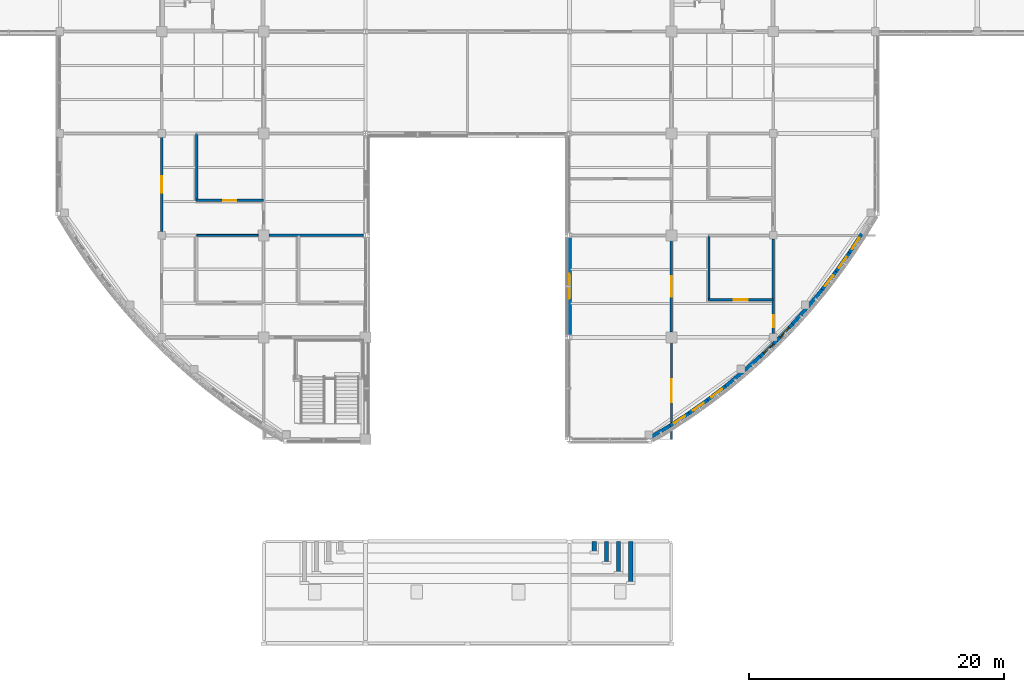
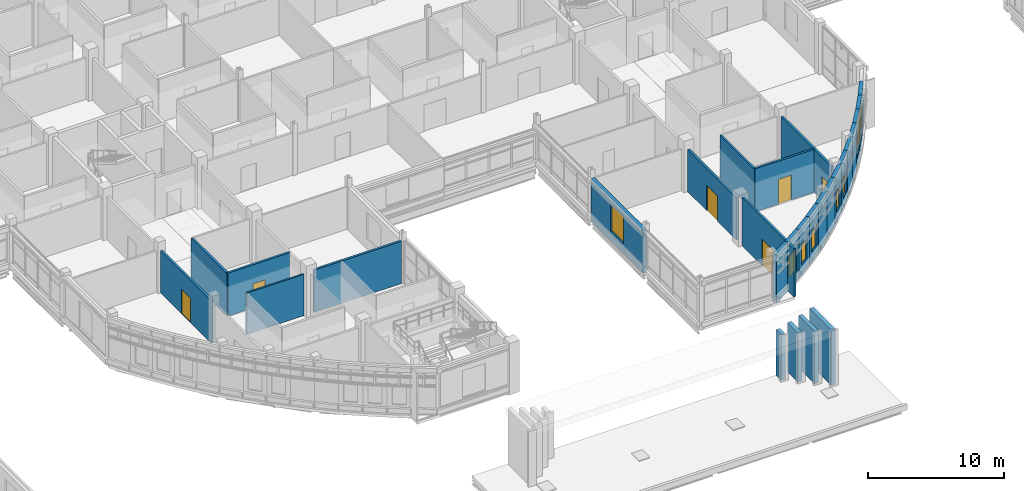
# One storey, part 81 of 121: 28 walls, 9 windows, 6 doors, 15 openings.
"""IFC4 building model written with IfcOpenShell, lengths in metres."""

from ifc_helpers import new_model, si_unit, derived_unit, direction, frame, frame_2d, origin, place, context, subcontext, project, spatial, rectangle, extrude, material, layer, layer_set, type_object, element, fill, save


model = new_model("IFC4")

# Units and contexts
model_context = context("Model", 3, precision=1e-05, world=origin(), true_north=direction((0.0, 1.0)))
body_context = subcontext(model_context, "Body", "Model", "MODEL_VIEW")
ifc_project = project(units=[si_unit("LENGTHUNIT", "METRE"), si_unit("AREAUNIT", "SQUARE_METRE"), si_unit("VOLUMEUNIT", "CUBIC_METRE"), si_unit("PLANEANGLEUNIT", "RADIAN"), si_unit("MASSUNIT", "GRAM", prefix="KILO"), derived_unit("THERMALTRANSMITTANCEUNIT", [(si_unit("MASSUNIT", "GRAM", prefix="KILO"), 1), (si_unit("TIMEUNIT", "SECOND"), -3), (si_unit("THERMODYNAMICTEMPERATUREUNIT", "KELVIN"), -1)])], contexts=[model_context])

# Site, building, storey
site_placement = place(None, origin())
site = spatial("IfcSite", under=ifc_project, at=site_placement, CompositionType="ELEMENT")
building_placement = place(site_placement, origin())
building = spatial("IfcBuilding", under=site, at=building_placement, Name="Veyamyaing Civic Hall", CompositionType="ELEMENT")
storey_placement = place(building_placement, frame((0.0, 0.0, 5.280029296875)))
storey = spatial("IfcBuildingStorey", under=building, at=storey_placement, Name="L01", CompositionType="ELEMENT", Elevation=5.280029296875)

# Wall
ifc_material_1 = material(Name="Precast concrete C40/50", Category="concrete")
ifc_layer_1 = layer(ifc_material_1, 0.304931640625, Name="Precast concrete C40/50")
ifc_layer_set_1 = layer_set([ifc_layer_1], Name="Precast concrete C40/50")
wall_type_1 = type_object("IfcWallType", Name="WT-03", PredefinedType="SOLIDWALL", material=ifc_layer_set_1)
wall_1_placement = place(storey_placement, frame((102.350830078125, 16.1328125, 0.0), z_axis=(0.0, 0.0, 1.0), x_axis=(0.856543302071, 0.51607516088, 0.0)))
element("IfcWall", 1, at=wall_1_placement, inside=storey, type_object=wall_type_1, Name="Curved corner facade wall WT-03 L01 SE.1", PredefinedType="SOLIDWALL", context=body_context, shape_type="SweptSolid", body=[
    extrude(rectangle(XDim=1.794921875, YDim=0.304931640625, at=frame_2d((0.8974609375, 0.0))), origin(), (0.0, 0.0, 1.0), 4.3349609375),
])

# Wall, opening, window
wall_2_placement = place(storey_placement, frame((103.88330078125, 17.05615234375, 0.0), z_axis=(0.0, 0.0, 1.0), x_axis=(0.836686786408, 0.547681678944, 0.0)))
wall_2 = element("IfcWall", 2, at=wall_2_placement, inside=storey, type_object=wall_type_1, Name="Curved corner facade wall WT-03 L01 SE.2", PredefinedType="SOLIDWALL", context=body_context, shape_type="SweptSolid", body=[
    extrude(rectangle(XDim=1.795166015625, YDim=0.304931640625, at=frame_2d((0.8974609375, 0.0))), origin(), (0.0, 0.0, 1.0), 4.3349609375),
])
opening_1_placement = place(wall_2_placement, frame((0.37255859375, 0.0, 0.89990234375)))
opening_1 = element("IfcOpeningElement", 3, at=opening_1_placement, cuts=wall_2, Name="Opening W-16", PredefinedType="OPENING", context=body_context, shape_type="SweptSolid", body=[
    extrude(rectangle(XDim=1.050048828125, YDim=1.85009765625, at=frame_2d((0.52490234375, 0.925048828125))), frame((0.0, 0.162353515625, 0.0), z_axis=(0.0, -1.0, 0.0), x_axis=(1.0, 0.0, 0.0)), (0.0, 0.0, 1.0), 0.324951171875),
])
ifc_material_2 = material(Name="Low-E insulated glass", Category="glass")
window_type_1 = type_object("IfcWindowType", Name="W-16", PartitioningType="SINGLE_PANEL", PredefinedType="WINDOW", material=ifc_material_2)
window_1_placement = place(opening_1_placement, origin())
window_1 = element("IfcWindow", 4, at=window_1_placement, inside=storey, type_object=window_type_1, Name="Curved ribbon window W-16 L01 SE.2", OverallHeight=1.85009765625, OverallWidth=1.050048828125, PartitioningType="SINGLE_PANEL", PredefinedType="WINDOW", context=body_context, shape_type="SweptSolid", body=[
    extrude(rectangle(XDim=1.050048828125, YDim=1.85009765625, at=frame_2d((0.52490234375, 0.925048828125))), frame((0.0, 0.030029296875, 0.0), z_axis=(0.0, -1.0, 0.0), x_axis=(1.0, 0.0, 0.0)), (0.0, 0.0, 1.0), 0.06005859375),
])
fill(opening_1, window_1)

wall_3_placement = place(storey_placement, frame((105.38037109375, 18.0361328125, 0.0), z_axis=(0.0, 0.0, 1.0), x_axis=(0.815567185578, 0.578662393636, 0.0)))
wall_3 = element("IfcWall", 5, at=wall_3_placement, inside=storey, type_object=wall_type_1, Name="Curved corner facade wall WT-03 L01 SE.3", PredefinedType="SOLIDWALL", context=body_context, shape_type="SweptSolid", body=[
    extrude(rectangle(XDim=1.795166015625, YDim=0.304931640625, at=frame_2d((0.8974609375, 0.0))), origin(), (0.0, 0.0, 1.0), 4.3349609375),
])
opening_2_placement = place(wall_3_placement, frame((0.37255859375, 0.0, 0.89990234375)))
opening_2 = element("IfcOpeningElement", 6, at=opening_2_placement, cuts=wall_3, Name="Opening W-16", PredefinedType="OPENING", context=body_context, shape_type="SweptSolid", body=[
    extrude(rectangle(XDim=1.050048828125, YDim=1.85009765625, at=frame_2d((0.52490234375, 0.925048828125))), frame((0.0, 0.162353515625, 0.0), z_axis=(0.0, -1.0, 0.0), x_axis=(1.0, 0.0, 0.0)), (0.0, 0.0, 1.0), 0.324951171875),
])
window_2_placement = place(opening_2_placement, origin())
window_2 = element("IfcWindow", 7, at=window_2_placement, inside=storey, type_object=window_type_1, Name="Curved ribbon window W-16 L01 SE.3", OverallHeight=1.85009765625, OverallWidth=1.050048828125, PartitioningType="SINGLE_PANEL", PredefinedType="WINDOW", context=body_context, shape_type="SweptSolid", body=[
    extrude(rectangle(XDim=1.050048828125, YDim=1.85009765625, at=frame_2d((0.52490234375, 0.925048828125))), frame((0.0, 0.030029296875, 0.0), z_axis=(0.0, -1.0, 0.0), x_axis=(1.0, 0.0, 0.0)), (0.0, 0.0, 1.0), 0.06005859375),
])
fill(opening_2, window_2)

wall_4_placement = place(storey_placement, frame((106.83984375, 19.071533203125, 0.0), z_axis=(0.0, 0.0, 1.0), x_axis=(0.793341406114, 0.608776981616, 0.0)))
wall_4 = element("IfcWall", 8, at=wall_4_placement, inside=storey, type_object=wall_type_1, Name="Curved corner facade wall WT-03 L01 SE.4", PredefinedType="SOLIDWALL", context=body_context, shape_type="SweptSolid", body=[
    extrude(rectangle(XDim=1.794921875, YDim=0.304931640625, at=frame_2d((0.8974609375, 0.0))), origin(), (0.0, 0.0, 1.0), 4.3349609375),
])
opening_3_placement = place(wall_4_placement, frame((0.37255859375, 0.0, 0.89990234375)))
opening_3 = element("IfcOpeningElement", 9, at=opening_3_placement, cuts=wall_4, Name="Opening W-16", PredefinedType="OPENING", context=body_context, shape_type="SweptSolid", body=[
    extrude(rectangle(XDim=1.050048828125, YDim=1.85009765625, at=frame_2d((0.52490234375, 0.925048828125))), frame((0.0, 0.162353515625, 0.0), z_axis=(0.0, -1.0, 0.0), x_axis=(1.0, 0.0, 0.0)), (0.0, 0.0, 1.0), 0.324951171875),
])
window_3_placement = place(opening_3_placement, origin())
window_3 = element("IfcWindow", 10, at=window_3_placement, inside=storey, type_object=window_type_1, Name="Curved ribbon window W-16 L01 SE.4", OverallHeight=1.85009765625, OverallWidth=1.050048828125, PartitioningType="SINGLE_PANEL", PredefinedType="WINDOW", context=body_context, shape_type="SweptSolid", body=[
    extrude(rectangle(XDim=1.050048828125, YDim=1.85009765625, at=frame_2d((0.52490234375, 0.925048828125))), frame((0.0, 0.030029296875, 0.0), z_axis=(0.0, -1.0, 0.0), x_axis=(1.0, 0.0, 0.0)), (0.0, 0.0, 1.0), 0.06005859375),
])
fill(opening_3, window_3)

# Walls
wall_5_placement = place(storey_placement, frame((108.259521484375, 20.16064453125, 0.0), z_axis=(0.0, 0.0, 1.0), x_axis=(0.769991012207, 0.638054732073, 0.0)))
element("IfcWall", 11, at=wall_5_placement, inside=storey, type_object=wall_type_1, Name="Curved corner facade wall WT-03 L01 SE.5", PredefinedType="SOLIDWALL", context=body_context, shape_type="SweptSolid", body=[
    extrude(rectangle(XDim=1.794921875, YDim=0.304931640625, at=frame_2d((0.8974609375, 0.0))), origin(), (0.0, 0.0, 1.0), 4.3349609375),
])
wall_6_placement = place(storey_placement, frame((109.63720703125, 21.30224609375, 0.0), z_axis=(0.0, 0.0, 1.0), x_axis=(0.745703543965, 0.666277888361, 0.0)))
element("IfcWall", 12, at=wall_6_placement, inside=storey, type_object=wall_type_1, Name="Curved corner facade wall WT-03 L01 SE.6", PredefinedType="SOLIDWALL", context=body_context, shape_type="SweptSolid", body=[
    extrude(rectangle(XDim=1.795166015625, YDim=0.304931640625, at=frame_2d((0.8974609375, 0.0))), origin(), (0.0, 0.0, 1.0), 4.3349609375),
])

# Wall, opening, window
wall_7_placement = place(storey_placement, frame((110.971435546875, 22.494384765625, 0.0), z_axis=(0.0, 0.0, 1.0), x_axis=(0.720242191926, 0.693722700342, 0.0)))
wall_7 = element("IfcWall", 13, at=wall_7_placement, inside=storey, type_object=wall_type_1, Name="Curved corner facade wall WT-03 L01 SE.7", PredefinedType="SOLIDWALL", context=body_context, shape_type="SweptSolid", body=[
    extrude(rectangle(XDim=1.795166015625, YDim=0.304931640625, at=frame_2d((0.8974609375, 0.0))), origin(), (0.0, 0.0, 1.0), 4.3349609375),
])
opening_4_placement = place(wall_7_placement, frame((0.37255859375, 0.0, 0.89990234375)))
opening_4 = element("IfcOpeningElement", 14, at=opening_4_placement, cuts=wall_7, Name="Opening W-16", PredefinedType="OPENING", context=body_context, shape_type="SweptSolid", body=[
    extrude(rectangle(XDim=1.050048828125, YDim=1.85009765625, at=frame_2d((0.52490234375, 0.925048828125))), frame((0.0, 0.162353515625, 0.0), z_axis=(0.0, -1.0, 0.0), x_axis=(1.0, 0.0, 0.0)), (0.0, 0.0, 1.0), 0.324951171875),
])
window_4_placement = place(opening_4_placement, origin())
window_4 = element("IfcWindow", 15, at=window_4_placement, inside=storey, type_object=window_type_1, Name="Curved ribbon window W-16 L01 SE.7", OverallHeight=1.85009765625, OverallWidth=1.050048828125, PartitioningType="SINGLE_PANEL", PredefinedType="WINDOW", context=body_context, shape_type="SweptSolid", body=[
    extrude(rectangle(XDim=1.050048828125, YDim=1.85009765625, at=frame_2d((0.52490234375, 0.925048828125))), frame((0.0, 0.030029296875, 0.0), z_axis=(0.0, -1.0, 0.0), x_axis=(1.0, 0.0, 0.0)), (0.0, 0.0, 1.0), 0.06005859375),
])
fill(opening_4, window_4)

wall_8_placement = place(storey_placement, frame((112.26025390625, 23.735595703125, 0.0), z_axis=(0.0, 0.0, 1.0), x_axis=(0.693722700342, 0.720242191926, 0.0)))
wall_8 = element("IfcWall", 16, at=wall_8_placement, inside=storey, type_object=wall_type_1, Name="Curved corner facade wall WT-03 L01 SE.8", PredefinedType="SOLIDWALL", context=body_context, shape_type="SweptSolid", body=[
    extrude(rectangle(XDim=1.795166015625, YDim=0.304931640625, at=frame_2d((0.8974609375, 0.0))), origin(), (0.0, 0.0, 1.0), 4.3349609375),
])
opening_5_placement = place(wall_8_placement, frame((0.37255859375, 0.0, 0.89990234375)))
opening_5 = element("IfcOpeningElement", 17, at=opening_5_placement, cuts=wall_8, Name="Opening W-16", PredefinedType="OPENING", context=body_context, shape_type="SweptSolid", body=[
    extrude(rectangle(XDim=1.050048828125, YDim=1.85009765625, at=frame_2d((0.52490234375, 0.925048828125))), frame((0.0, 0.162353515625, 0.0), z_axis=(0.0, -1.0, 0.0), x_axis=(1.0, 0.0, 0.0)), (0.0, 0.0, 1.0), 0.324951171875),
])
window_5_placement = place(opening_5_placement, origin())
window_5 = element("IfcWindow", 18, at=window_5_placement, inside=storey, type_object=window_type_1, Name="Curved ribbon window W-16 L01 SE.8", OverallHeight=1.85009765625, OverallWidth=1.050048828125, PartitioningType="SINGLE_PANEL", PredefinedType="WINDOW", context=body_context, shape_type="SweptSolid", body=[
    extrude(rectangle(XDim=1.050048828125, YDim=1.85009765625, at=frame_2d((0.52490234375, 0.925048828125))), frame((0.0, 0.030029296875, 0.0), z_axis=(0.0, -1.0, 0.0), x_axis=(1.0, 0.0, 0.0)), (0.0, 0.0, 1.0), 0.06005859375),
])
fill(opening_5, window_5)

# Walls
wall_9_placement = place(storey_placement, frame((113.501708984375, 25.024169921875, 0.0), z_axis=(0.0, 0.0, 1.0), x_axis=(0.666277888361, 0.745703543965, 0.0)))
element("IfcWall", 19, at=wall_9_placement, inside=storey, type_object=wall_type_1, Name="Curved corner facade wall WT-03 L01 SE.9", PredefinedType="SOLIDWALL", context=body_context, shape_type="SweptSolid", body=[
    extrude(rectangle(XDim=1.795166015625, YDim=0.304931640625, at=frame_2d((0.8974609375, 0.0))), origin(), (0.0, 0.0, 1.0), 4.3349609375),
])
wall_10_placement = place(storey_placement, frame((114.694091796875, 26.3583984375, 0.0), z_axis=(0.0, 0.0, 1.0), x_axis=(0.638054732073, 0.769991012207, 0.0)))
element("IfcWall", 20, at=wall_10_placement, inside=storey, type_object=wall_type_1, Name="Curved corner facade wall WT-03 L01 SE.10", PredefinedType="SOLIDWALL", context=body_context, shape_type="SweptSolid", body=[
    extrude(rectangle(XDim=1.794921875, YDim=0.304931640625, at=frame_2d((0.8974609375, 0.0))), origin(), (0.0, 0.0, 1.0), 4.3349609375),
])

# Wall, opening, window
wall_11_placement = place(storey_placement, frame((115.835693359375, 27.736083984375, 0.0), z_axis=(0.0, 0.0, 1.0), x_axis=(0.608776981616, 0.793341406114, 0.0)))
wall_11 = element("IfcWall", 21, at=wall_11_placement, inside=storey, type_object=wall_type_1, Name="Curved corner facade wall WT-03 L01 SE.11", PredefinedType="SOLIDWALL", context=body_context, shape_type="SweptSolid", body=[
    extrude(rectangle(XDim=1.794921875, YDim=0.304931640625, at=frame_2d((0.8974609375, 0.0))), origin(), (0.0, 0.0, 1.0), 4.3349609375),
])
opening_6_placement = place(wall_11_placement, frame((0.37255859375, 0.0, 0.89990234375)))
opening_6 = element("IfcOpeningElement", 22, at=opening_6_placement, cuts=wall_11, Name="Opening W-16", PredefinedType="OPENING", context=body_context, shape_type="SweptSolid", body=[
    extrude(rectangle(XDim=1.050048828125, YDim=1.85009765625, at=frame_2d((0.52490234375, 0.925048828125))), frame((0.0, 0.162353515625, 0.0), z_axis=(0.0, -1.0, 0.0), x_axis=(1.0, 0.0, 0.0)), (0.0, 0.0, 1.0), 0.324951171875),
])
window_6_placement = place(opening_6_placement, origin())
window_6 = element("IfcWindow", 23, at=window_6_placement, inside=storey, type_object=window_type_1, Name="Curved ribbon window W-16 L01 SE.11", OverallHeight=1.85009765625, OverallWidth=1.050048828125, PartitioningType="SINGLE_PANEL", PredefinedType="WINDOW", context=body_context, shape_type="SweptSolid", body=[
    extrude(rectangle(XDim=1.050048828125, YDim=1.85009765625, at=frame_2d((0.52490234375, 0.925048828125))), frame((0.0, 0.030029296875, 0.0), z_axis=(0.0, -1.0, 0.0), x_axis=(1.0, 0.0, 0.0)), (0.0, 0.0, 1.0), 0.06005859375),
])
fill(opening_6, window_6)

wall_12_placement = place(storey_placement, frame((116.925048828125, 29.155517578125, 0.0), z_axis=(0.0, 0.0, 1.0), x_axis=(0.578662393636, 0.815567185578, 0.0)))
wall_12 = element("IfcWall", 24, at=wall_12_placement, inside=storey, type_object=wall_type_1, Name="Curved corner facade wall WT-03 L01 SE.12", PredefinedType="SOLIDWALL", context=body_context, shape_type="SweptSolid", body=[
    extrude(rectangle(XDim=1.795166015625, YDim=0.304931640625, at=frame_2d((0.8974609375, 0.0))), origin(), (0.0, 0.0, 1.0), 4.3349609375),
])
opening_7_placement = place(wall_12_placement, frame((0.37255859375, 0.0, 0.89990234375)))
opening_7 = element("IfcOpeningElement", 25, at=opening_7_placement, cuts=wall_12, Name="Opening W-16", PredefinedType="OPENING", context=body_context, shape_type="SweptSolid", body=[
    extrude(rectangle(XDim=1.050048828125, YDim=1.85009765625, at=frame_2d((0.52490234375, 0.925048828125))), frame((0.0, 0.162353515625, 0.0), z_axis=(0.0, -1.0, 0.0), x_axis=(1.0, 0.0, 0.0)), (0.0, 0.0, 1.0), 0.324951171875),
])
window_7_placement = place(opening_7_placement, origin())
window_7 = element("IfcWindow", 26, at=window_7_placement, inside=storey, type_object=window_type_1, Name="Curved ribbon window W-16 L01 SE.12", OverallHeight=1.85009765625, OverallWidth=1.050048828125, PartitioningType="SINGLE_PANEL", PredefinedType="WINDOW", context=body_context, shape_type="SweptSolid", body=[
    extrude(rectangle(XDim=1.050048828125, YDim=1.85009765625, at=frame_2d((0.52490234375, 0.925048828125))), frame((0.0, 0.030029296875, 0.0), z_axis=(0.0, -1.0, 0.0), x_axis=(1.0, 0.0, 0.0)), (0.0, 0.0, 1.0), 0.06005859375),
])
fill(opening_7, window_7)

wall_13_placement = place(storey_placement, frame((117.960693359375, 30.61474609375, 0.0), z_axis=(0.0, 0.0, 1.0), x_axis=(0.547681678944, 0.836686786408, 0.0)))
wall_13 = element("IfcWall", 27, at=wall_13_placement, inside=storey, type_object=wall_type_1, Name="Curved corner facade wall WT-03 L01 SE.13", PredefinedType="SOLIDWALL", context=body_context, shape_type="SweptSolid", body=[
    extrude(rectangle(XDim=1.795166015625, YDim=0.304931640625, at=frame_2d((0.8974609375, 0.0))), origin(), (0.0, 0.0, 1.0), 4.3349609375),
])
opening_8_placement = place(wall_13_placement, frame((0.37255859375, 0.0, 0.89990234375)))
opening_8 = element("IfcOpeningElement", 28, at=opening_8_placement, cuts=wall_13, Name="Opening W-16", PredefinedType="OPENING", context=body_context, shape_type="SweptSolid", body=[
    extrude(rectangle(XDim=1.050048828125, YDim=1.85009765625, at=frame_2d((0.52490234375, 0.925048828125))), frame((0.0, 0.162353515625, 0.0), z_axis=(0.0, -1.0, 0.0), x_axis=(1.0, 0.0, 0.0)), (0.0, 0.0, 1.0), 0.324951171875),
])
window_8_placement = place(opening_8_placement, origin())
window_8 = element("IfcWindow", 29, at=window_8_placement, inside=storey, type_object=window_type_1, Name="Curved ribbon window W-16 L01 SE.13", OverallHeight=1.85009765625, OverallWidth=1.050048828125, PartitioningType="SINGLE_PANEL", PredefinedType="WINDOW", context=body_context, shape_type="SweptSolid", body=[
    extrude(rectangle(XDim=1.050048828125, YDim=1.85009765625, at=frame_2d((0.52490234375, 0.925048828125))), frame((0.0, 0.030029296875, 0.0), z_axis=(0.0, -1.0, 0.0), x_axis=(1.0, 0.0, 0.0)), (0.0, 0.0, 1.0), 0.06005859375),
])
fill(opening_8, window_8)

wall_14_placement = place(storey_placement, frame((96.0, 24.1708984375, 0.0), z_axis=(0.0, 0.0, 1.0), x_axis=(0.0, 1.0, 0.0)))
wall_14 = element("IfcWall", 30, at=wall_14_placement, inside=storey, type_object=wall_type_1, Name="Exterior facade wall WT-03 L01 W 13.4", PredefinedType="SOLIDWALL", context=body_context, shape_type="SweptSolid", body=[
    extrude(rectangle(XDim=7.658203125, YDim=0.304931640625, at=frame_2d((3.8291015625, 0.0))), origin(), (0.0, 0.0, 1.0), 3.85791015625),
])
opening_9_placement = place(wall_14_placement, frame((2.85400390625, 0.0, 0.89990234375)))
opening_9 = element("IfcOpeningElement", 31, at=opening_9_placement, cuts=wall_14, Name="Opening W-26", PredefinedType="OPENING", context=body_context, shape_type="SweptSolid", body=[
    extrude(rectangle(XDim=1.949951171875, YDim=2.449951171875, at=frame_2d((0.97509765625, 1.22509765625))), frame((0.0, 0.162353515625, 0.0), z_axis=(0.0, -1.0, 0.0), x_axis=(1.0, 0.0, 0.0)), (0.0, 0.0, 1.0), 0.324951171875),
])
window_type_2 = type_object("IfcWindowType", Name="W-26", PartitioningType="SINGLE_PANEL", PredefinedType="WINDOW", material=ifc_material_2)
window_9_placement = place(opening_9_placement, origin())
window_9 = element("IfcWindow", 32, at=window_9_placement, inside=storey, type_object=window_type_2, Name="Facade window W-26 L01 W 13.4", OverallHeight=2.449951171875, OverallWidth=1.949951171875, PartitioningType="SINGLE_PANEL", PredefinedType="WINDOW", context=body_context, shape_type="SweptSolid", body=[
    extrude(rectangle(XDim=1.949951171875, YDim=2.449951171875, at=frame_2d((0.97509765625, 1.22509765625))), frame((0.0, 0.030029296875, 0.0), z_axis=(0.0, -1.0, 0.0), x_axis=(1.0, 0.0, 0.0)), (0.0, 0.0, 1.0), 0.06005859375),
])
fill(opening_9, window_9)

# Wall, opening, door
ifc_material_3 = material(Name="Gypsum board on acoustic steel stud", Category="steel")
ifc_layer_2 = layer(ifc_material_3, 0.175048828125, Name="Gypsum board on acoustic steel stud")
ifc_layer_set_2 = layer_set([ifc_layer_2], Name="Gypsum board on acoustic steel stud")
wall_type_2 = type_object("IfcWallType", Name="WT-07", PredefinedType="PARTITIONING", material=ifc_layer_set_2)
wall_15_placement = place(storey_placement, frame((106.89990234375, 26.949951171875, 0.0), z_axis=(0.0, 0.0, 1.0), x_axis=(1.0, 0.0, 0.0)))
wall_15 = element("IfcWall", 33, at=wall_15_placement, inside=storey, type_object=wall_type_2, Name="Corridor gallery partition WT-07 L01.55.1", PredefinedType="PARTITIONING", context=body_context, shape_type="SweptSolid", body=[
    extrude(rectangle(XDim=5.080078125, YDim=0.175048828125, at=frame_2d((2.5400390625, 0.0))), origin(), (0.0, 0.0, 1.0), 3.85693359375),
])
opening_10_placement = place(wall_15_placement, frame((1.97998046875, 0.0, 0.0)))
opening_10 = element("IfcOpeningElement", 34, at=opening_10_placement, cuts=wall_15, Name="Opening D-26", PredefinedType="OPENING", context=body_context, shape_type="SweptSolid", body=[
    extrude(rectangle(XDim=1.1201171875, YDim=2.219970703125, at=frame_2d((0.56005859375, 1.10986328125))), frame((0.0, 0.097412109375, 0.0), z_axis=(0.0, -1.0, 0.0), x_axis=(1.0, 0.0, 0.0)), (0.0, 0.0, 1.0), 0.195068359375),
])
ifc_material_4 = material(Name="Teak-veneered acoustic timber", Category="wood")
door_type_1 = type_object("IfcDoorType", Name="D-26", OperationType="NOTDEFINED", PredefinedType="DOOR", material=ifc_material_4)
door_1_placement = place(opening_10_placement, origin())
door_1 = element("IfcDoor", 35, at=door_1_placement, inside=storey, type_object=door_type_1, Name="Gallery office door D-26 L01.55", OperationType="SINGLE_SWING_LEFT", OverallHeight=2.219970703125, OverallWidth=1.1201171875, PredefinedType="DOOR", context=body_context, shape_type="SweptSolid", body=[
    extrude(rectangle(XDim=1.1201171875, YDim=2.219970703125, at=frame_2d((0.56005859375, 1.10986328125))), frame((0.0, 0.02490234375, 0.0), z_axis=(0.0, -1.0, 0.0), x_axis=(1.0, 0.0, 0.0)), (0.0, 0.0, 1.0), 0.050048828125),
])
fill(opening_10, door_1)

# Wall
wall_16_placement = place(storey_placement, frame((106.949951171875, 26.89990234375, 0.0), z_axis=(0.0, 0.0, 1.0), x_axis=(0.0, 1.0, 0.0)))
element("IfcWall", 36, at=wall_16_placement, inside=storey, type_object=wall_type_2, Name="Corridor gallery partition WT-07 L01.55.2", PredefinedType="PARTITIONING", context=body_context, shape_type="SweptSolid", body=[
    extrude(rectangle(XDim=5.080078125, YDim=0.175048828125, at=frame_2d((2.5400390625, 0.0))), origin(), (0.0, 0.0, 1.0), 3.786865234375),
])

# Wall, opening, door
wall_17_placement = place(storey_placement, frame((104.0, 16.0, 0.0), z_axis=(0.0, 0.0, 1.0), x_axis=(0.0, 1.0, 0.0)))
wall_17 = element("IfcWall", 37, at=wall_17_placement, inside=storey, type_object=wall_type_2, Name="Interior partition wall WT-07 L01.67", PredefinedType="PARTITIONING", context=body_context, shape_type="SweptSolid", body=[
    extrude(rectangle(XDim=7.5849609375, YDim=0.175048828125, at=frame_2d((3.79248046875, 0.0))), origin(), (0.0, 0.0, 1.0), 4.324951171875),
])
opening_11_placement = place(wall_17_placement, frame((2.892578125, 0.0, 0.0)))
opening_11 = element("IfcOpeningElement", 38, at=opening_11_placement, cuts=wall_17, Name="Opening D-08", PredefinedType="OPENING", context=body_context, shape_type="SweptSolid", body=[
    extrude(rectangle(XDim=1.800048828125, YDim=2.35009765625, at=frame_2d((0.89990234375, 1.175048828125))), frame((0.0, 0.097412109375, 0.0), z_axis=(0.0, -1.0, 0.0), x_axis=(1.0, 0.0, 0.0)), (0.0, 0.0, 1.0), 0.195068359375),
])
door_type_2 = type_object("IfcDoorType", Name="D-08", OperationType="DOUBLE_DOOR_SINGLE_SWING", PredefinedType="DOOR", material=ifc_material_4)
door_2_placement = place(opening_11_placement, origin())
door_2 = element("IfcDoor", 39, at=door_2_placement, inside=storey, type_object=door_type_2, Name="Interior door D-08 L01.67", OperationType="DOUBLE_DOOR_SINGLE_SWING", OverallHeight=2.35009765625, OverallWidth=1.800048828125, PredefinedType="DOOR", context=body_context, shape_type="SweptSolid", body=[
    extrude(rectangle(XDim=1.800048828125, YDim=2.35009765625, at=frame_2d((0.89990234375, 1.175048828125))), frame((0.0, 0.02490234375, 0.0), z_axis=(0.0, -1.0, 0.0), x_axis=(1.0, 0.0, 0.0)), (0.0, 0.0, 1.0), 0.050048828125),
])
fill(opening_11, door_2)

# Walls
ifc_material_5 = material(Name="Gypsum board on steel stud", Category="steel")
ifc_layer_3 = layer(ifc_material_5, 0.14990234375, Name="Gypsum board on steel stud")
ifc_layer_set_3 = layer_set([ifc_layer_3], Name="Gypsum board on steel stud")
wall_type_3 = type_object("IfcWallType", Name="WT-08", PredefinedType="PARTITIONING", material=ifc_layer_set_3)
wall_18_placement = place(storey_placement, frame((66.75, 32.0, 0.0), z_axis=(0.0, 0.0, 1.0), x_axis=(1.0, 0.0, 0.0)))
element("IfcWall", 40, at=wall_18_placement, inside=storey, type_object=wall_type_3, Name="Gallery office end partition WT-08 L01.37.1", PredefinedType="PARTITIONING", context=body_context, shape_type="SweptSolid", body=[
    extrude(rectangle(XDim=4.81494140625, YDim=0.14990234375, at=frame_2d((2.407470703125, 0.0))), origin(), (0.0, 0.0, 1.0), 3.7119140625),
])
ifc_layer_4 = layer(ifc_material_1, 0.340087890625, Name="Precast concrete C40/50")
ifc_layer_set_4 = layer_set([ifc_layer_4], Name="Precast concrete C40/50")
wall_type_4 = type_object("IfcWallType", Name="WT-17", PredefinedType="SOLIDWALL", material=ifc_layer_set_4)
wall_19_placement = place(storey_placement, frame((100.800048828125, 4.800048828125, 0.0), z_axis=(0.0, 0.0, 1.0), x_axis=(0.0, 1.0, 0.0)))
element("IfcWall", 41, at=wall_19_placement, inside=storey, type_object=wall_type_4, Name="Carved South Portal Frame Step 1 R L01", PredefinedType="SOLIDWALL", context=body_context, shape_type="SweptSolid", body=[
    extrude(rectangle(XDim=3.179931640625, YDim=0.340087890625, at=frame_2d((1.58984375, 0.0))), origin(), (0.0, 0.0, 1.0), 5.0),
])
wall_20_placement = place(storey_placement, frame((99.85009765625, 5.60009765625, 0.0), z_axis=(0.0, 0.0, 1.0), x_axis=(0.0, 1.0, 0.0)))
element("IfcWall", 42, at=wall_20_placement, inside=storey, type_object=wall_type_4, Name="Carved South Portal Frame Step 2 R L01", PredefinedType="SOLIDWALL", context=body_context, shape_type="SweptSolid", body=[
    extrude(rectangle(XDim=2.3798828125, YDim=0.340087890625, at=frame_2d((1.18994140625, 0.0))), origin(), (0.0, 0.0, 1.0), 4.699951171875),
])
wall_21_placement = place(storey_placement, frame((98.89990234375, 6.39990234375, 0.0), z_axis=(0.0, 0.0, 1.0), x_axis=(0.0, 1.0, 0.0)))
element("IfcWall", 43, at=wall_21_placement, inside=storey, type_object=wall_type_4, Name="Carved South Portal Frame Step 3 R L01", PredefinedType="SOLIDWALL", context=body_context, shape_type="SweptSolid", body=[
    extrude(rectangle(XDim=1.580078125, YDim=0.340087890625, at=frame_2d((0.7900390625, 0.0))), origin(), (0.0, 0.0, 1.0), 4.39990234375),
])
wall_22_placement = place(storey_placement, frame((97.949951171875, 7.199951171875, 0.0), z_axis=(0.0, 0.0, 1.0), x_axis=(0.0, 1.0, 0.0)))
element("IfcWall", 44, at=wall_22_placement, inside=storey, type_object=wall_type_4, Name="Carved South Portal Frame Step 4 R L01", PredefinedType="SOLIDWALL", context=body_context, shape_type="SweptSolid", body=[
    extrude(rectangle(XDim=0.780029296875, YDim=0.340087890625, at=frame_2d((0.39013671875, 0.0))), origin(), (0.0, 0.0, 1.0), 4.099853515625),
])

# Wall, opening, door
ifc_material_6 = material(Name="Gypsum board on double acoustic stud")
ifc_layer_5 = layer(ifc_material_6, 0.18505859375, Name="Gypsum board on double acoustic stud")
ifc_layer_set_5 = layer_set([ifc_layer_5], Name="Gypsum board on double acoustic stud")
wall_type_5 = type_object("IfcWallType", Name="WT-19", PredefinedType="PARTITIONING", material=ifc_layer_set_5)
wall_23_placement = place(storey_placement, frame((66.699951171875, 34.75, 0.0), z_axis=(0.0, 0.0, 1.0), x_axis=(1.0, 0.0, 0.0)))
wall_23 = element("IfcWall", 45, at=wall_23_placement, inside=storey, type_object=wall_type_5, Name="Corridor gallery partition WT-19 L01.38.1", PredefinedType="PARTITIONING", context=body_context, shape_type="SweptSolid", body=[
    extrude(rectangle(XDim=5.280029296875, YDim=0.18505859375, at=frame_2d((2.64013671875, 0.0))), origin(), (0.0, 0.0, 1.0), 3.85693359375),
])
opening_12_placement = place(wall_23_placement, frame((2.114990234375, 0.0, 0.0)))
opening_12 = element("IfcOpeningElement", 46, at=opening_12_placement, cuts=wall_23, Name="Opening D-12", PredefinedType="OPENING", context=body_context, shape_type="SweptSolid", body=[
    extrude(rectangle(XDim=1.050048828125, YDim=2.14990234375, at=frame_2d((0.52490234375, 1.074951171875))), frame((0.0, 0.1025390625, 0.0), z_axis=(0.0, -1.0, 0.0), x_axis=(1.0, 0.0, 0.0)), (0.0, 0.0, 1.0), 0.205078125),
])
door_type_3 = type_object("IfcDoorType", Name="D-12", OperationType="NOTDEFINED", PredefinedType="DOOR", material=ifc_material_4)
door_3_placement = place(opening_12_placement, origin())
door_3 = element("IfcDoor", 47, at=door_3_placement, inside=storey, type_object=door_type_3, Name="Gallery office door D-12 L01.38", OperationType="SINGLE_SWING_RIGHT", OverallHeight=2.14990234375, OverallWidth=1.050048828125, PredefinedType="DOOR", context=body_context, shape_type="SweptSolid", body=[
    extrude(rectangle(XDim=1.050048828125, YDim=2.14990234375, at=frame_2d((0.52490234375, 1.074951171875))), frame((0.0, 0.02490234375, 0.0), z_axis=(0.0, -1.0, 0.0), x_axis=(1.0, 0.0, 0.0)), (0.0, 0.0, 1.0), 0.050048828125),
])
fill(opening_12, door_3)

# Wall
wall_24_placement = place(storey_placement, frame((66.75, 34.699951171875, 0.0), z_axis=(0.0, 0.0, 1.0), x_axis=(0.0, 1.0, 0.0)))
element("IfcWall", 48, at=wall_24_placement, inside=storey, type_object=wall_type_5, Name="Corridor gallery partition WT-19 L01.38.2", PredefinedType="PARTITIONING", context=body_context, shape_type="SweptSolid", body=[
    extrude(rectangle(XDim=5.280029296875, YDim=0.18505859375, at=frame_2d((2.64013671875, 0.0))), origin(), (0.0, 0.0, 1.0), 3.786865234375),
])

# Wall, opening, door
wall_25_placement = place(storey_placement, frame((64.0, 32.2900390625, 0.0), z_axis=(0.0, 0.0, 1.0), x_axis=(0.0, 1.0, 0.0)))
wall_25 = element("IfcWall", 49, at=wall_25_placement, inside=storey, type_object=wall_type_5, Name="Interior partition wall WT-19 L01.24", PredefinedType="PARTITIONING", context=body_context, shape_type="SweptSolid", body=[
    extrude(rectangle(XDim=7.419921875, YDim=0.18505859375, at=frame_2d((3.7099609375, 0.0))), origin(), (0.0, 0.0, 1.0), 3.786865234375),
])
opening_13_placement = place(wall_25_placement, frame((3.06005859375, 0.0, 0.0)))
opening_13 = element("IfcOpeningElement", 50, at=opening_13_placement, cuts=wall_25, Name="Opening D-18", PredefinedType="OPENING", context=body_context, shape_type="SweptSolid", body=[
    extrude(rectangle(XDim=1.300048828125, YDim=2.199951171875, at=frame_2d((0.64990234375, 1.10009765625))), frame((0.0, 0.1025390625, 0.0), z_axis=(0.0, -1.0, 0.0), x_axis=(1.0, 0.0, 0.0)), (0.0, 0.0, 1.0), 0.205078125),
])
ifc_material_7 = material(Name="Anodised aluminium 6063-T6", Category="aluminium")
door_type_4 = type_object("IfcDoorType", Name="D-18", OperationType="DOUBLE_DOOR_SINGLE_SWING", PredefinedType="DOOR", material=ifc_material_7)
door_4_placement = place(opening_13_placement, origin())
door_4 = element("IfcDoor", 51, at=door_4_placement, inside=storey, type_object=door_type_4, Name="Interior door D-18 L01.24", OperationType="DOUBLE_DOOR_SINGLE_SWING", OverallHeight=2.199951171875, OverallWidth=1.300048828125, PredefinedType="DOOR", context=body_context, shape_type="SweptSolid", body=[
    extrude(rectangle(XDim=1.300048828125, YDim=2.199951171875, at=frame_2d((0.64990234375, 1.10009765625))), frame((0.0, 0.02490234375, 0.0), z_axis=(0.0, -1.0, 0.0), x_axis=(1.0, 0.0, 0.0)), (0.0, 0.0, 1.0), 0.050048828125),
])
fill(opening_13, door_4)

# Wall
wall_26_placement = place(storey_placement, frame((72.4150390625, 32.0, 0.0), z_axis=(0.0, 0.0, 1.0), x_axis=(1.0, 0.0, 0.0)))
element("IfcWall", 52, at=wall_26_placement, inside=storey, type_object=wall_type_5, Name="Interior partition wall WT-19 L01.44", PredefinedType="PARTITIONING", context=body_context, shape_type="SweptSolid", body=[
    extrude(rectangle(XDim=7.407958984375, YDim=0.18505859375, at=frame_2d((3.7041015625, 0.0))), origin(), (0.0, 0.0, 1.0), 3.786865234375),
])

# Wall, opening, door
wall_27_placement = place(storey_placement, frame((104.0, 24.4150390625, 0.0), z_axis=(0.0, 0.0, 1.0), x_axis=(0.0, 1.0, 0.0)))
wall_27 = element("IfcWall", 53, at=wall_27_placement, inside=storey, type_object=wall_type_5, Name="Interior partition wall WT-19 L01.68", PredefinedType="PARTITIONING", context=body_context, shape_type="SweptSolid", body=[
    extrude(rectangle(XDim=7.169921875, YDim=0.18505859375, at=frame_2d((3.5849609375, 0.0))), origin(), (0.0, 0.0, 1.0), 3.786865234375),
])
opening_14_placement = place(wall_27_placement, frame((2.784912109375, 0.0, 0.0)))
opening_14 = element("IfcOpeningElement", 54, at=opening_14_placement, cuts=wall_27, Name="Opening D-09", PredefinedType="OPENING", context=body_context, shape_type="SweptSolid", body=[
    extrude(rectangle(XDim=1.60009765625, YDim=2.25, at=frame_2d((0.800048828125, 1.125))), frame((0.0, 0.1025390625, 0.0), z_axis=(0.0, -1.0, 0.0), x_axis=(1.0, 0.0, 0.0)), (0.0, 0.0, 1.0), 0.205078125),
])
door_type_5 = type_object("IfcDoorType", Name="D-09", OperationType="DOUBLE_DOOR_SINGLE_SWING", PredefinedType="DOOR", material=ifc_material_4)
door_5_placement = place(opening_14_placement, origin())
door_5 = element("IfcDoor", 55, at=door_5_placement, inside=storey, type_object=door_type_5, Name="Interior door D-09 L01.68", OperationType="DOUBLE_DOOR_SINGLE_SWING", OverallHeight=2.25, OverallWidth=1.60009765625, PredefinedType="DOOR", context=body_context, shape_type="SweptSolid", body=[
    extrude(rectangle(XDim=1.60009765625, YDim=2.25, at=frame_2d((0.800048828125, 1.125))), frame((0.0, 0.02490234375, 0.0), z_axis=(0.0, -1.0, 0.0), x_axis=(1.0, 0.0, 0.0)), (0.0, 0.0, 1.0), 0.050048828125),
])
fill(opening_14, door_5)

wall_28_placement = place(storey_placement, frame((112.0, 24.2900390625, 0.0), z_axis=(0.0, 0.0, 1.0), x_axis=(0.0, 1.0, 0.0)))
wall_28 = element("IfcWall", 56, at=wall_28_placement, inside=storey, type_object=wall_type_5, Name="Interior partition wall WT-19 L01.82", PredefinedType="PARTITIONING", context=body_context, shape_type="SweptSolid", body=[
    extrude(rectangle(XDim=7.419921875, YDim=0.18505859375, at=frame_2d((3.7099609375, 0.0))), origin(), (0.0, 0.0, 1.0), 3.85693359375),
])
opening_15_placement = place(wall_28_placement, frame((0.52001953125, 0.0, 0.0)))
opening_15 = element("IfcOpeningElement", 57, at=opening_15_placement, cuts=wall_28, Name="Opening D-30", PredefinedType="OPENING", context=body_context, shape_type="SweptSolid", body=[
    extrude(rectangle(XDim=0.93994140625, YDim=2.1201171875, at=frame_2d((0.469970703125, 1.06005859375))), frame((0.0, 0.1025390625, 0.0), z_axis=(0.0, -1.0, 0.0), x_axis=(1.0, 0.0, 0.0)), (0.0, 0.0, 1.0), 0.205078125),
])
door_type_6 = type_object("IfcDoorType", Name="D-30", OperationType="NOTDEFINED", PredefinedType="DOOR", material=ifc_material_4)
door_6_placement = place(opening_15_placement, frame((0.93994140625, 0.0, 0.0), z_axis=(0.0, 0.0, 1.0), x_axis=(-1.0, 0.0, 0.0)))
door_6 = element("IfcDoor", 58, at=door_6_placement, inside=storey, type_object=door_type_6, Name="Interior door D-30 L01.82", OperationType="SINGLE_SWING_RIGHT", OverallHeight=2.1201171875, OverallWidth=0.93994140625, PredefinedType="DOOR", context=body_context, shape_type="SweptSolid", body=[
    extrude(rectangle(XDim=0.93994140625, YDim=2.1201171875, at=frame_2d((0.469970703125, 1.06005859375))), frame((0.0, 0.02490234375, 0.0), z_axis=(0.0, -1.0, 0.0), x_axis=(1.0, 0.0, 0.0)), (0.0, 0.0, 1.0), 0.050048828125),
])
fill(opening_15, door_6)

save(model, "model.ifc")
